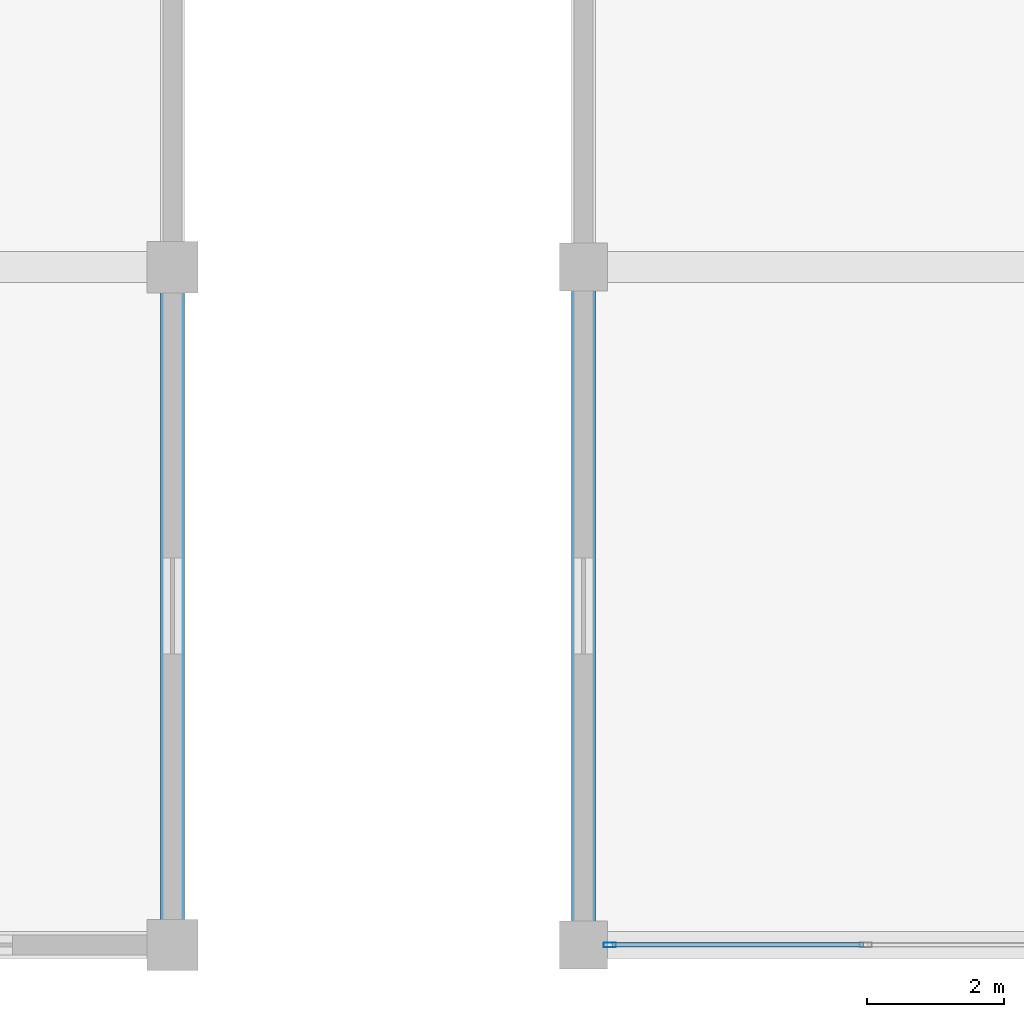
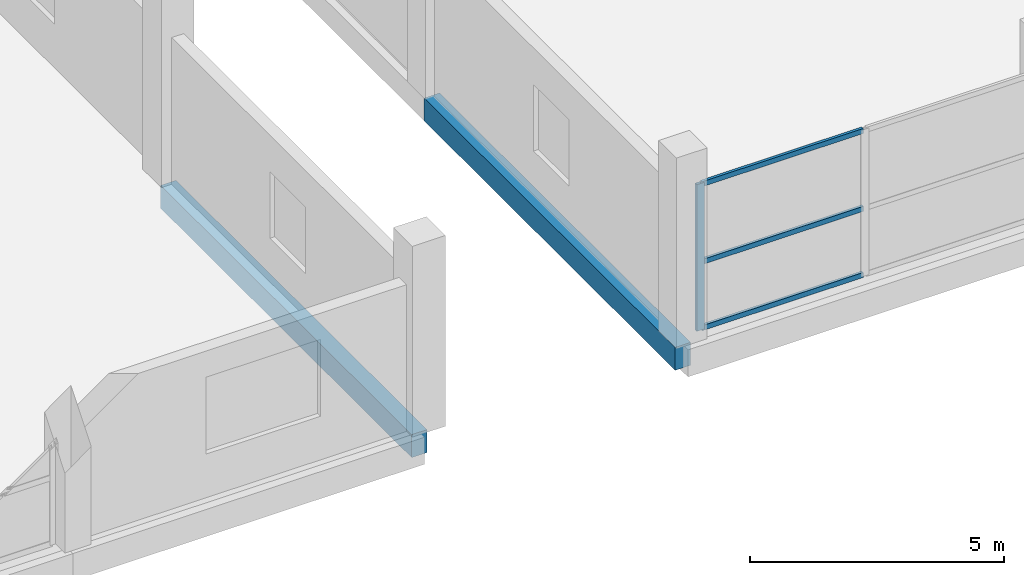
# One storey, part 12 of 55: 4 members, 2 beams, 1 element without a shape of its own.
"""IFC4 building model written with IfcOpenShell, lengths in metres."""

import ifcopenshell
import ifcopenshell.guid

model = None  # the IFC model being written
_history = None  # IfcOwnerHistory: only IFC2X3 demands one
_inside = {}  # id of a spatial element -> (the spatial element, [elements in it])
_under = {}  # id of a project, library or spatial element -> (it, [spatial elements below it])
_declared = {}  # id of a project -> (the project, [libraries it declares])
_typed = {}  # id of a type object -> (the type object, [elements of that type])
_made_of = {}  # id of a material, layer set ... -> (it, [elements and type objects made of it])


def new_model(schema):
    """Start an empty IFC model of exactly this schema.

    Asked for "IFC4X3", IfcOpenShell would pick the latest addendum, in which some entities
    have other attributes; the version numbers below select the first issue.
    IFC2X3 requires an IfcOwnerHistory on every rooted entity: one is made here for all.
    """
    global model, _history
    if schema == "IFC4X3":
        model = ifcopenshell.file(schema_version=(4, 3, 0, 0))
    else:
        model = ifcopenshell.file(schema=schema)
    _inside.clear()
    _under.clear()
    _declared.clear()
    _typed.clear()
    _made_of.clear()
    _history = None
    if model.schema == "IFC2X3":
        org = make("IfcOrganization", Name="unknown")
        user = make(
            "IfcPersonAndOrganization",
            ThePerson=make("IfcPerson", FamilyName="unknown"),
            TheOrganization=org,
        )
        app = make(
            "IfcApplication",
            ApplicationDeveloper=org,
            Version="unknown",
            ApplicationFullName="unknown",
            ApplicationIdentifier="unknown",
        )
        _history = make(
            "IfcOwnerHistory",
            OwningUser=user,
            OwningApplication=app,
            ChangeAction="ADDED",
            CreationDate=0,
        )
    return model


def make(cls, **values):
    """One entity of the class cls with the attributes given. An attribute that is None is left unset."""
    return model.create_entity(
        cls, **{name: value for name, value in values.items() if value is not None}
    )


def rooted(cls, **values):
    """An entity with a GlobalId (a new one), such as an element, a storey or a relation."""
    return make(cls, GlobalId=ifcopenshell.guid.new(), OwnerHistory=_history, **values)


def si_unit(unit_type, name, prefix=None):
    """IfcSIUnit, for example si_unit("LENGTHUNIT", "METRE", prefix="MILLI")."""
    return make("IfcSIUnit", UnitType=unit_type, Prefix=prefix, Name=name)


def assignment(units):
    """IfcUnitAssignment: the units of a project."""
    return None if units is None else make("IfcUnitAssignment", Units=units)


def point(xyz):
    """IfcCartesianPoint."""
    return None if xyz is None else make("IfcCartesianPoint", Coordinates=xyz)


def direction(xyz):
    """IfcDirection."""
    return None if xyz is None else make("IfcDirection", DirectionRatios=xyz)


def frame(location, z_axis=None, x_axis=None):
    """IfcAxis2Placement3D, a coordinate frame: its origin and axes. An axis left out is left unset."""
    return make(
        "IfcAxis2Placement3D",
        Location=point(location),
        Axis=direction(z_axis),
        RefDirection=direction(x_axis),
    )


def frame_2d(location, x_axis=None):
    """IfcAxis2Placement2D, a coordinate frame in the plane: its origin and x axis."""
    return make(
        "IfcAxis2Placement2D", Location=point(location), RefDirection=direction(x_axis)
    )


def origin():
    """The frame at (0, 0, 0) with its axes left unset."""
    return frame((0.0, 0.0, 0.0))


def origin_2d():
    """The frame at (0, 0) in the plane with its x axis left unset."""
    return frame_2d((0.0, 0.0))


def place(relative_to, where):
    """IfcLocalPlacement: puts the frame where relative to a parent placement (None: the world)."""
    return make(
        "IfcLocalPlacement", PlacementRelTo=relative_to, RelativePlacement=where
    )


def context(
    kind, dimensions, precision=None, world=None, true_north=None, identifier=None
):
    """IfcGeometricRepresentationContext, for example the 3D "Model" context."""
    return make(
        "IfcGeometricRepresentationContext",
        ContextIdentifier=identifier,
        ContextType=kind,
        CoordinateSpaceDimension=dimensions,
        Precision=precision,
        WorldCoordinateSystem=world,
        TrueNorth=true_north,
    )


def subcontext(parent, identifier, kind, view, scale=None):
    """IfcGeometricRepresentationSubContext, for example "Body" below "Model"."""
    return make(
        "IfcGeometricRepresentationSubContext",
        ContextIdentifier=identifier,
        ContextType=kind,
        ParentContext=parent,
        TargetScale=scale,
        TargetView=view,
    )


def project(units=None, contexts=None):
    """IfcProject with its units and contexts."""
    return rooted(
        "IfcProject",
        Name="project",
        RepresentationContexts=contexts,
        UnitsInContext=assignment(units),
    )


def spatial(cls, under=None, at=None, **own):
    """A site, building, storey or space (cls), placed at a placement, below another one or the project."""
    s = rooted(cls, ObjectPlacement=at, **own)
    if under is not None:
        _under.setdefault(under.id(), (under, []))[1].append(s)
    return s


def profile(cls, at=None, kind="AREA", **sizes):
    """A parametric profile (cls). Its sizes go by their IFC names, for example OverallWidth=200.0."""
    return make(cls, ProfileType=kind, Position=at, **sizes)


def rectangle(**sizes):
    """IfcRectangleProfileDef."""
    return profile("IfcRectangleProfileDef", **sizes)


def hollow_rectangle(**sizes):
    """IfcRectangleHollowProfileDef."""
    return profile("IfcRectangleHollowProfileDef", **sizes)


def extrude(swept, where, along, depth):
    """IfcExtrudedAreaSolid: the profile swept, set in the frame where, extruded along a direction by depth."""
    return make(
        "IfcExtrudedAreaSolid",
        SweptArea=swept,
        Position=where,
        ExtrudedDirection=direction(along),
        Depth=depth,
    )


def shape(context_of_items, identifier, shape_type, items):
    """IfcShapeRepresentation: the items that make up one representation, for example the "Body"."""
    return make(
        "IfcShapeRepresentation",
        ContextOfItems=context_of_items,
        RepresentationIdentifier=identifier,
        RepresentationType=shape_type,
        Items=items,
    )


def material(Name=None, Category=None):
    """IfcMaterial."""
    return make("IfcMaterial", Name=Name, Category=Category)


def layer(
    of_material, thickness, ventilated=None, Name=None, Category=None, Priority=None
):
    """IfcMaterialLayer: one layer of a wall or slab, of a material (None: an air gap)."""
    return make(
        "IfcMaterialLayer",
        Material=of_material,
        LayerThickness=thickness,
        IsVentilated=ventilated,
        Name=Name,
        Category=Category,
        Priority=Priority,
    )


def layer_set(layers, Name=None):
    """IfcMaterialLayerSet."""
    return make("IfcMaterialLayerSet", MaterialLayers=layers, LayerSetName=Name)


def material_profile(
    of_material, cross_section, Name=None, Category=None, Priority=None
):
    """IfcMaterialProfile: a cross section and its material."""
    return make(
        "IfcMaterialProfile",
        Name=Name,
        Material=of_material,
        Profile=cross_section,
        Priority=Priority,
        Category=Category,
    )


def profile_set(profiles, Name=None, composite=None):
    """IfcMaterialProfileSet."""
    return make(
        "IfcMaterialProfileSet",
        Name=Name,
        MaterialProfiles=profiles,
        CompositeProfile=composite,
    )


def made_of(thing, what):
    """Note that an element or type object is made of a material, layer set ...; save() writes the relation."""
    if what is not None:
        _made_of.setdefault(what.id(), (what, []))[1].append(thing)
    return thing


def type_object(cls, material=None, **own):
    """A type object (cls), such as IfcWallType, which elements share."""
    return made_of(rooted(cls, **own), material)


def element(
    cls,
    number,
    at=None,
    inside=None,
    cuts=None,
    type_object=None,
    material=None,
    context=None,
    identifier="Body",
    shape_type=None,
    held_by="IfcProductDefinitionShape",
    body=None,
    shapes=None,
    **own,
):
    """One element of the class cls, such as IfcWall. Its Tag is "e" and its number.

    at: its placement. inside: the storey or other place that contains it. cuts: it is an
    opening in that element (IfcRelVoidsElement). A single representation is given by context,
    identifier, shape_type and body (its items); several are given by shapes. held_by: the class
    of the entity that holds the representations. save() writes the other relations.
    """
    e = rooted(cls, Tag="e%d" % number, ObjectPlacement=at, **own)
    if body is not None:
        shapes = [shape(context, identifier, shape_type, body)]
    if shapes is not None:
        e.Representation = make(held_by, Representations=shapes)
    if inside is not None:
        _inside.setdefault(inside.id(), (inside, []))[1].append(e)
    if cuts is not None:
        rooted(
            "IfcRelVoidsElement", RelatingBuildingElement=cuts, RelatedOpeningElement=e
        )
    if type_object is not None:
        _typed.setdefault(type_object.id(), (type_object, []))[1].append(e)
    return made_of(e, material)


def aggregate(whole, parts):
    """IfcRelAggregates: a whole, such as a stair, and the parts it consists of."""
    return rooted("IfcRelAggregates", RelatingObject=whole, RelatedObjects=parts)


def save(model, path):
    """Write the relations noted so far, then the file.

    IfcRelAggregates (storeys below a building ...), IfcRelContainedInSpatialStructure (elements
    in a storey), IfcRelDefinesByType, IfcRelAssociatesMaterial and IfcRelDeclares: one each for
    every whole, place, type object, material and project.
    """
    for whole, parts in _under.values():
        aggregate(whole, parts)
    for where, things in _inside.values():
        rooted(
            "IfcRelContainedInSpatialStructure",
            RelatedElements=things,
            RelatingStructure=where,
        )
    for kind, things in _typed.values():
        rooted("IfcRelDefinesByType", RelatedObjects=things, RelatingType=kind)
    for what, things in _made_of.values():
        rooted("IfcRelAssociatesMaterial", RelatedObjects=things, RelatingMaterial=what)
    for by, libraries in _declared.values():
        rooted("IfcRelDeclares", RelatingContext=by, RelatedDefinitions=libraries)
    model.write(path)


model = new_model("IFC4")

# Units and contexts
model_context = context("Model", 3, precision=1e-05, world=origin(), true_north=direction((0.0, 1.0)))
body_context = subcontext(model_context, "Body", "Model", "MODEL_VIEW")
ifc_project = project(units=[si_unit("LENGTHUNIT", "METRE"), si_unit("AREAUNIT", "SQUARE_METRE"), si_unit("VOLUMEUNIT", "CUBIC_METRE"), si_unit("PLANEANGLEUNIT", "RADIAN"), si_unit("MASSUNIT", "GRAM", prefix="KILO")], contexts=[model_context])

# Site, building, storey
site_placement = place(None, origin())
site = spatial("IfcSite", under=ifc_project, at=site_placement, CompositionType="ELEMENT")
building_placement = place(site_placement, origin())
building = spatial("IfcBuilding", under=site, at=building_placement, Name="Sillaruma Civic Art Gallery", CompositionType="ELEMENT")
storey_placement = place(building_placement, frame((0.0, 0.0, 37.739990234375)))
storey = spatial("IfcBuildingStorey", under=building, at=storey_placement, Name="L07", CompositionType="ELEMENT", Elevation=37.739990234375)

# Beams
ifc_material_1 = material(Name="Concrete H35 (35 MPa)", Category="concrete")
ifc_material_profile_1 = material_profile(ifc_material_1, rectangle(XDim=0.35009765625, YDim=0.550048828125, at=origin_2d()), Name="RCB350x550")
ifc_profile_set_1 = profile_set([ifc_material_profile_1], Name="Concrete H35 (35 MPa)")
beam_type = type_object("IfcBeamType", Name="BM-SPANDREL-RCB350x550", PredefinedType="SPANDREL", material=ifc_profile_set_1)
for number, where, z_axis, x_axis, name in (
    (1, (92.0, 19.800048828125, -0.514892578125), (0.0, 1.0, 0.0), (-1.0, 0.0, 0.0), "Beam BS-04 (L06:K:3-4)"),
    (2, (98.0, 19.800048828125, -0.514892578125), (0.0, 1.0, 0.0), (-1.0, 0.0, 0.0), "Beam BS-04 (L06:L:3-4)"),
):
    element("IfcBeam", number, at=place(storey_placement, frame(where, z_axis=z_axis, x_axis=x_axis)), inside=storey, type_object=beam_type, Name=name, PredefinedType="SPANDREL", context=body_context, shape_type="SweptSolid", body=[
        extrude(rectangle(XDim=0.35009765625, YDim=0.550048828125, at=origin_2d()), origin(), (0.0, 0.0, 1.0), 9.89990234375),
    ])

# Curtain wall, members
ifc_material_2 = material(Name="Thermally Broken Extruded Aluminium 6063-T6", Category="aluminium")
ifc_layer = layer(ifc_material_2, 0.179931640625, Name="Thermally Broken Extruded Aluminium 6063-T6")
ifc_layer_set = layer_set([ifc_layer], Name="Thermally Broken Extruded Aluminium 6063-T6")
curtain_wall_type = type_object("IfcCurtainWallType", Name="CW-UNI-52", PredefinedType="NOTDEFINED", material=ifc_layer_set)
curtain_wall_placement = place(storey_placement, origin())
curtain_wall = element("IfcCurtainWall", 3, at=curtain_wall_placement, inside=storey, type_object=curtain_wall_type, Name="Unitised Curtain Wall CW-52 (CW-L07-S-6)", PredefinedType="NOTDEFINED")
ifc_material_profile_2 = material_profile(ifc_material_2, hollow_rectangle(XDim=0.070068359375, YDim=0.179931640625, WallThickness=0.00390625, at=origin_2d()), Name="CWM70x180")
ifc_profile_set_2 = profile_set([ifc_material_profile_2], Name="Thermally Broken Extruded Aluminium 6063-T6")
member_type_1 = type_object("IfcMemberType", Name="MEM-MUL-CWM70x180", PredefinedType="MULLION", material=ifc_profile_set_2)
member_1_placement = place(storey_placement, frame((98.385009765625, 19.800048828125, 0.0), z_axis=(0.0, 0.0, 1.0), x_axis=(0.0, 1.0, 0.0)))
member_1 = element("IfcMember", 4, at=member_1_placement, type_object=member_type_1, Name="CW-52 mullion 1", PredefinedType="MULLION", context=body_context, shape_type="SweptSolid", body=[
    extrude(hollow_rectangle(XDim=0.070068359375, YDim=0.179931640625, WallThickness=0.00390625, at=origin_2d()), origin(), (0.0, 0.0, 1.0), 3.530029296875),
])
ifc_material_profile_3 = material_profile(ifc_material_2, hollow_rectangle(XDim=0.06494140625, YDim=0.1201171875, WallThickness=0.00341796875, at=origin_2d()), Name="CWT65x120")
ifc_profile_set_3 = profile_set([ifc_material_profile_3], Name="Thermally Broken Extruded Aluminium 6063-T6")
member_type_2 = type_object("IfcMemberType", Name="MEM-TRN-CWT65x120", PredefinedType="USERDEFINED", material=ifc_profile_set_3)
member_2_placement = place(storey_placement, frame((98.419921875, 19.800048828125, 0.032470703125), z_axis=(1.0, 0.0, 0.0), x_axis=(0.0, 1.0, 0.0)))
member_2 = element("IfcMember", 5, at=member_2_placement, type_object=member_type_2, Name="CW-52 transom 1.1", ObjectType="TRANSOM", PredefinedType="USERDEFINED", context=body_context, shape_type="SweptSolid", body=[
    extrude(hollow_rectangle(XDim=0.06494140625, YDim=0.1201171875, WallThickness=0.00341796875, at=origin_2d()), origin(), (0.0, 0.0, 1.0), 3.670166015625),
])
member_3_placement = place(storey_placement, frame((98.419921875, 19.800048828125, 1.623779296875), z_axis=(1.0, 0.0, 0.0), x_axis=(0.0, 1.0, 0.0)))
member_3 = element("IfcMember", 6, at=member_3_placement, type_object=member_type_2, Name="CW-52 transom 1.2", ObjectType="TRANSOM", PredefinedType="USERDEFINED", context=body_context, shape_type="SweptSolid", body=[
    extrude(hollow_rectangle(XDim=0.06494140625, YDim=0.1201171875, WallThickness=0.00341796875, at=origin_2d()), origin(), (0.0, 0.0, 1.0), 3.670166015625),
])
member_4_placement = place(storey_placement, frame((98.419921875, 19.800048828125, 3.49755859375), z_axis=(1.0, 0.0, 0.0), x_axis=(0.0, 1.0, 0.0)))
member_4 = element("IfcMember", 7, at=member_4_placement, type_object=member_type_2, Name="CW-52 transom 1.3", ObjectType="TRANSOM", PredefinedType="USERDEFINED", context=body_context, shape_type="SweptSolid", body=[
    extrude(hollow_rectangle(XDim=0.06494140625, YDim=0.1201171875, WallThickness=0.00341796875, at=origin_2d()), origin(), (0.0, 0.0, 1.0), 3.670166015625),
])
aggregate(curtain_wall, [member_1, member_2, member_3, member_4])

save(model, "model.ifc")
